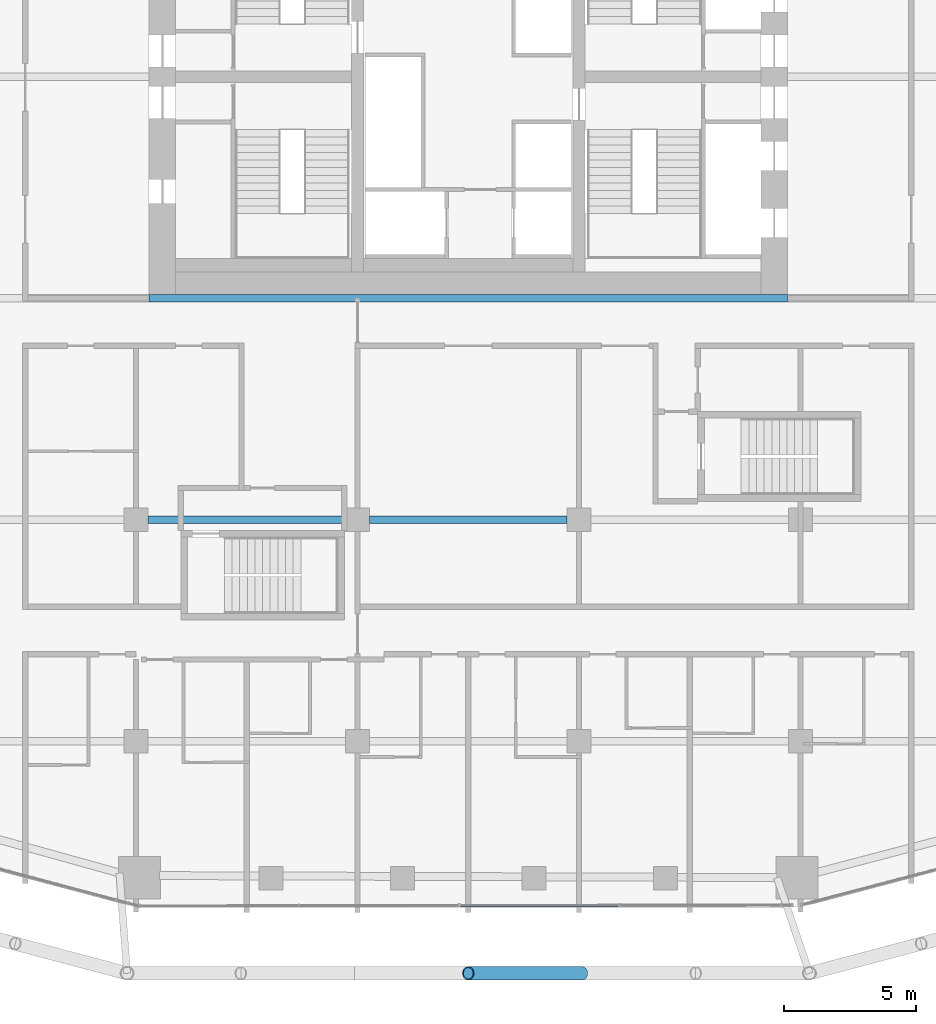
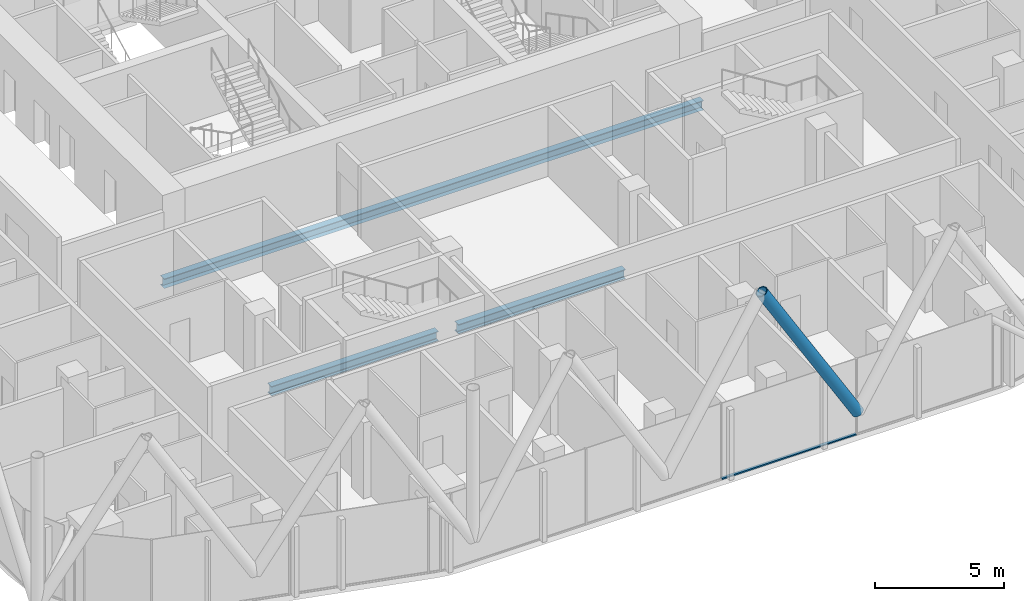
# One storey, part 5 of 33: 3 beams, 2 members, 1 element without a shape of its own.
"""IFC4 building model written with IfcOpenShell, lengths in metres."""

from ifc_helpers import new_model, si_unit, direction, frame, origin, origin_2d, place, context, subcontext, project, spatial, rectangle, hollow_circle, i_section, extrude, material, layer, layer_set, material_profile, profile_set, type_object, element, aggregate, save


model = new_model("IFC4")

# Units and contexts
model_context = context("Model", 3, precision=1e-05, world=origin(), true_north=direction((0.0, 1.0)))
body_context = subcontext(model_context, "Body", "Model", "MODEL_VIEW")
ifc_project = project(units=[si_unit("LENGTHUNIT", "METRE"), si_unit("AREAUNIT", "SQUARE_METRE"), si_unit("VOLUMEUNIT", "CUBIC_METRE"), si_unit("PLANEANGLEUNIT", "RADIAN"), si_unit("MASSUNIT", "GRAM", prefix="KILO")], contexts=[model_context])

# Site, building, storey
site_placement = place(None, origin())
site = spatial("IfcSite", under=ifc_project, at=site_placement, CompositionType="ELEMENT")
building_placement = place(site_placement, origin())
building = spatial("IfcBuilding", under=site, at=building_placement, Name="Marenta Gate Hotel Tower", CompositionType="ELEMENT")
storey_placement = place(building_placement, frame((0.0, 0.0, 108.5)))
storey = spatial("IfcBuildingStorey", under=building, at=storey_placement, Name="L23", CompositionType="ELEMENT", Elevation=108.5)

# Member
ifc_material_1 = material(Name="Steel S355J2W", Category="steel")
ifc_material_profile_1 = material_profile(ifc_material_1, hollow_circle(Radius=0.25390625, WallThickness=0.0400390625, at=origin_2d()), Name="CHS 508x40")
ifc_profile_set_1 = profile_set([ifc_material_profile_1], Name="Steel S355J2W")
member_type_1 = type_object("IfcMemberType", Name="Diagrid diagonal Z2 CHS 508x40", PredefinedType="BRACE", material=ifc_profile_set_1)
member_1_placement = place(storey_placement, frame((4.31298828125, -25.60009765625, 3.139892578125), z_axis=(-0.513871079492, 0.0, 0.857867421961), x_axis=(0.0, -1.0, 0.0)))
element("IfcMember", 1, at=member_1_placement, inside=storey, type_object=member_type_1, Name="L23-DG-17", PredefinedType="BRACE", context=body_context, shape_type="SweptSolid", body=[
    extrude(hollow_circle(Radius=0.25390625, WallThickness=0.0400390625, at=origin_2d()), origin(), (0.0, 0.0, 1.0), 8.39306640625),
])

# Beams
ifc_material_2 = material(Name="Steel S355", Category="steel")
ifc_material_profile_2 = material_profile(ifc_material_2, i_section(OverallWidth=0.300048828125, OverallDepth=0.449951171875, WebThickness=0.013916015625, FlangeThickness=0.02587890625, FilletRadius=0.027099609375, at=origin_2d()), Name="HEB 450")
ifc_profile_set_2 = profile_set([ifc_material_profile_2], Name="Steel S355")
beam_type = type_object("IfcBeamType", Name="Girder HEB 450", PredefinedType="BEAM", material=ifc_profile_set_2)
for number, where, z_axis, x_axis, name in (
    (2, (-12.14990234375, -8.39990234375, -0.485107421875), (1.0, 0.0, 0.0), (0.0, 1.0, 0.0), "L23-GD-10"),
    (3, (-3.75, -8.39990234375, -0.485107421875), (1.0, 0.0, 0.0), (0.0, 1.0, 0.0), "L23-GD-11"),
):
    element("IfcBeam", number, at=place(storey_placement, frame(where, z_axis=z_axis, x_axis=x_axis)), inside=storey, type_object=beam_type, Name=name, PredefinedType="BEAM", context=body_context, shape_type="SweptSolid", body=[
        extrude(i_section(OverallWidth=0.300048828125, OverallDepth=0.449951171875, WebThickness=0.013916015625, FlangeThickness=0.02587890625, FilletRadius=0.027099609375, at=origin_2d()), origin(), (0.0, 0.0, 1.0), 7.5),
    ])
beam_placement = place(storey_placement, frame((-12.10009765625, 0.0, -0.485107421875), z_axis=(1.0, 0.0, 0.0), x_axis=(0.0, 1.0, 0.0)))
element("IfcBeam", 4, at=beam_placement, inside=storey, type_object=beam_type, Name="L23-GD-17", PredefinedType="BEAM", context=body_context, shape_type="SweptSolid", body=[
    extrude(i_section(OverallWidth=0.300048828125, OverallDepth=0.449951171875, WebThickness=0.013916015625, FlangeThickness=0.02587890625, FilletRadius=0.027099609375, at=origin_2d()), origin(), (0.0, 0.0, 1.0), 24.2001953125),
])

# Curtain wall, member
ifc_material_3 = material(Name="Tinted insulated glass in bronze anodised frame", Category="glass")
ifc_layer = layer(ifc_material_3, 0.1201171875)
ifc_layer_set = layer_set([ifc_layer], Name="Tinted insulated glass in bronze anodised frame")
curtain_wall_type = type_object("IfcCurtainWallType", Name="Tower unitised curtain wall CW1", PredefinedType="NOTDEFINED", material=ifc_layer_set)
curtain_wall_placement = place(storey_placement, origin())
curtain_wall = element("IfcCurtainWall", 5, at=curtain_wall_placement, inside=storey, type_object=curtain_wall_type, Name="CW1 run G12", PredefinedType="NOTDEFINED")
ifc_material_4 = material(Name="Bronze anodised aluminium", Category="aluminium")
ifc_material_profile_3 = material_profile(ifc_material_4, rectangle(XDim=0.1201171875, YDim=0.06005859375, at=origin_2d()), Name="Transom CW1 60x120 bronze anodised aluminium")
ifc_profile_set_3 = profile_set([ifc_material_profile_3], Name="Bronze anodised aluminium")
member_type_2 = type_object("IfcMemberType", Name="Transom CW1 60x120 bronze anodised aluminium", PredefinedType="USERDEFINED", material=ifc_profile_set_3)
member_2_placement = place(storey_placement, frame((-0.31201171875, -23.03076171875, 0.030029296875), z_axis=(0.999999104975, 0.001337927041, 0.0), x_axis=(-0.001337927041, 0.999999104975, 0.0)))
member_2 = element("IfcMember", 6, at=member_2_placement, type_object=member_type_2, Name="CW1 transom 3.1", ObjectType="TRANSOM", PredefinedType="USERDEFINED", context=body_context, shape_type="SweptSolid", body=[
    extrude(rectangle(XDim=0.1201171875, YDim=0.06005859375, at=origin_2d()), origin(), (0.0, 0.0, 1.0), 6.021728515625),
])
aggregate(curtain_wall, [member_2])

save(model, "model.ifc")
